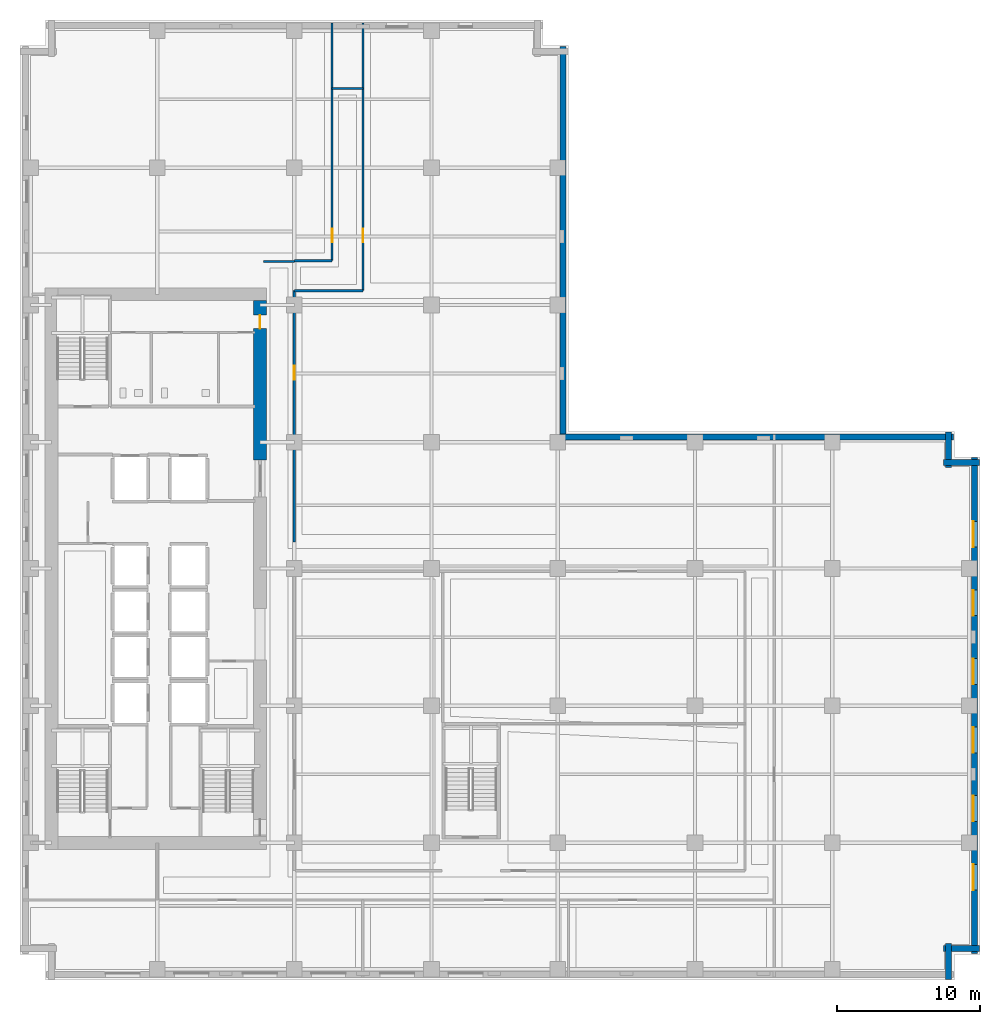
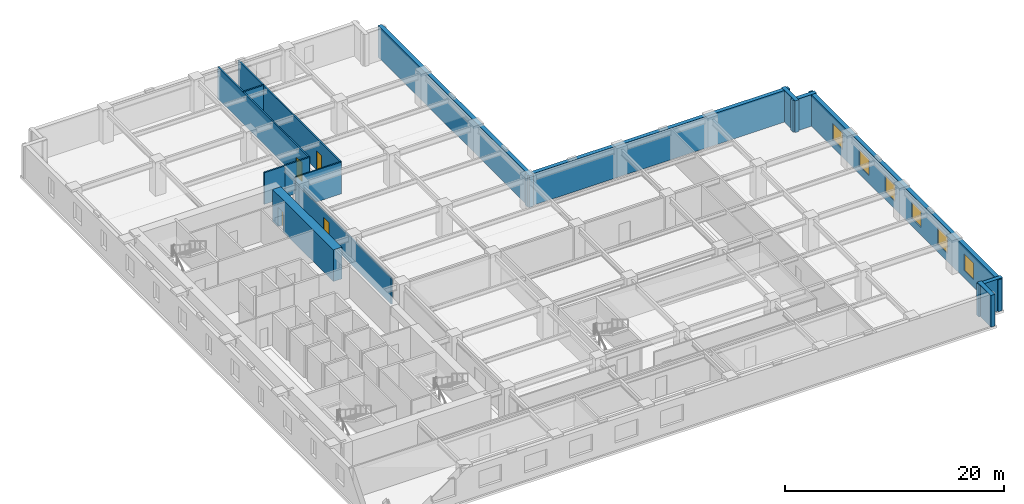
# One storey, part 7 of 13: 15 walls, 6 windows, 4 doors, 10 openings.
"""IFC4 building model written with IfcOpenShell, lengths in metres."""

from ifc_helpers import new_model, si_unit, direction, frame, frame_2d, origin, place, context, subcontext, project, spatial, rectangle, extrude, material, layer, layer_set, type_object, element, fill, save


model = new_model("IFC4")

# Units and contexts
model_context = context("Model", 3, precision=1e-05, world=origin(), true_north=direction((0.0, 1.0)))
body_context = subcontext(model_context, "Body", "Model", "MODEL_VIEW")
ifc_project = project(units=[si_unit("LENGTHUNIT", "METRE"), si_unit("AREAUNIT", "SQUARE_METRE"), si_unit("VOLUMEUNIT", "CUBIC_METRE"), si_unit("PLANEANGLEUNIT", "RADIAN"), si_unit("MASSUNIT", "GRAM", prefix="KILO")], contexts=[model_context])

# Site, building, storey
site_placement = place(None, origin())
site = spatial("IfcSite", under=ifc_project, at=site_placement, CompositionType="ELEMENT")
building_placement = place(site_placement, origin())
building = spatial("IfcBuilding", under=site, at=building_placement, Name="Norrvale University Quadrangle", CompositionType="ELEMENT")
storey_placement = place(building_placement, frame((0.0, 0.0, 69.800048828125)))
storey = spatial("IfcBuildingStorey", under=building, at=storey_placement, Name="L17", CompositionType="ELEMENT", Elevation=69.800048828125)

# Walls
ifc_material_1 = material(Name="Buff Norman Clay Brick Masonry", Category="masonry")
ifc_layer_1 = layer(ifc_material_1, 0.419921875, Name="Buff Norman Clay Brick Masonry")
ifc_layer_set_1 = layer_set([ifc_layer_1], Name="Buff Norman Clay Brick Masonry")
wall_type_1 = type_object("IfcWallType", Name="Wall Buff Brick 420", PredefinedType="SOLIDWALL", material=ifc_layer_set_1)
for number, where, z_axis, x_axis, name in (
    (1, (65.010009765625, 0.0400390625, 0.0), (0.0, 0.0, 1.0), (0.0, 1.0, 0.0), "Exterior Brick Facade Wall L17-02.1"),
    (2, (64.659912109375, 2.18994140625, 0.0), (0.0, 0.0, 1.0), (1.0, 0.0, 0.0), "Exterior Brick Facade Wall L17-03.1"),
):
    element("IfcWall", number, at=place(storey_placement, frame(where, z_axis=z_axis, x_axis=x_axis)), inside=storey, type_object=wall_type_1, Name=name, PredefinedType="SOLIDWALL", context=body_context, shape_type="SweptSolid", body=[
        extrude(rectangle(XDim=2.5, YDim=0.419921875, at=frame_2d((1.25, 0.0))), origin(), (0.0, 0.0, 1.0), 3.5400390625),
    ])

# Wall, openings, windows
wall_1_placement = place(storey_placement, frame((66.81005859375, 1.840087890625, 0.0), z_axis=(0.0, 0.0, 1.0), x_axis=(0.0, 1.0, 0.0)))
wall_1 = element("IfcWall", 3, at=wall_1_placement, inside=storey, type_object=wall_type_1, Name="Exterior Brick Facade Wall L17-04.1", PredefinedType="SOLIDWALL", context=body_context, shape_type="SweptSolid", body=[
    extrude(rectangle(XDim=34.719970703125, YDim=0.419921875, at=frame_2d((17.35986328125, 0.0))), origin(), (0.0, 0.0, 1.0), 3.5400390625),
])
opening_1_placement = place(wall_1_placement, frame((4.4599609375, 0.0, 0.85009765625)))
opening_1 = element("IfcOpeningElement", 4, at=opening_1_placement, cuts=wall_1, Name="Opening W01", PredefinedType="OPENING", context=body_context, shape_type="SweptSolid", body=[
    extrude(rectangle(XDim=1.800048828125, YDim=1.85009765625, at=frame_2d((0.89990234375, 0.925048828125))), frame((0.0, 0.221923828125, 0.0), z_axis=(0.0, -1.0, 0.0), x_axis=(1.0, 0.0, 0.0)), (0.0, 0.0, 1.0), 0.44384765625),
])
opening_2_placement = place(wall_1_placement, frame((9.260009765625, 0.0, 0.85009765625)))
opening_2 = element("IfcOpeningElement", 5, at=opening_2_placement, cuts=wall_1, Name="Opening W01", PredefinedType="OPENING", context=body_context, shape_type="SweptSolid", body=[
    extrude(rectangle(XDim=1.800048828125, YDim=1.85009765625, at=frame_2d((0.89990234375, 0.925048828125))), frame((0.0, 0.221923828125, 0.0), z_axis=(0.0, -1.0, 0.0), x_axis=(1.0, 0.0, 0.0)), (0.0, 0.0, 1.0), 0.44384765625),
])
opening_3_placement = place(wall_1_placement, frame((14.06005859375, 0.0, 0.85009765625)))
opening_3 = element("IfcOpeningElement", 6, at=opening_3_placement, cuts=wall_1, Name="Opening W01", PredefinedType="OPENING", context=body_context, shape_type="SweptSolid", body=[
    extrude(rectangle(XDim=1.800048828125, YDim=1.85009765625, at=frame_2d((0.89990234375, 0.925048828125))), frame((0.0, 0.221923828125, 0.0), z_axis=(0.0, -1.0, 0.0), x_axis=(1.0, 0.0, 0.0)), (0.0, 0.0, 1.0), 0.44384765625),
])
opening_4_placement = place(wall_1_placement, frame((18.860107421875, 0.0, 0.85009765625)))
opening_4 = element("IfcOpeningElement", 7, at=opening_4_placement, cuts=wall_1, Name="Opening W01", PredefinedType="OPENING", context=body_context, shape_type="SweptSolid", body=[
    extrude(rectangle(XDim=1.800048828125, YDim=1.85009765625, at=frame_2d((0.89990234375, 0.925048828125))), frame((0.0, 0.221923828125, 0.0), z_axis=(0.0, -1.0, 0.0), x_axis=(1.0, 0.0, 0.0)), (0.0, 0.0, 1.0), 0.44384765625),
])
opening_5_placement = place(wall_1_placement, frame((23.659912109375, 0.0, 0.85009765625)))
opening_5 = element("IfcOpeningElement", 8, at=opening_5_placement, cuts=wall_1, Name="Opening W01", PredefinedType="OPENING", context=body_context, shape_type="SweptSolid", body=[
    extrude(rectangle(XDim=1.800048828125, YDim=1.85009765625, at=frame_2d((0.89990234375, 0.925048828125))), frame((0.0, 0.221923828125, 0.0), z_axis=(0.0, -1.0, 0.0), x_axis=(1.0, 0.0, 0.0)), (0.0, 0.0, 1.0), 0.44384765625),
])
opening_6_placement = place(wall_1_placement, frame((28.4599609375, 0.0, 0.85009765625)))
opening_6 = element("IfcOpeningElement", 9, at=opening_6_placement, cuts=wall_1, Name="Opening W01", PredefinedType="OPENING", context=body_context, shape_type="SweptSolid", body=[
    extrude(rectangle(XDim=1.800048828125, YDim=1.85009765625, at=frame_2d((0.89990234375, 0.925048828125))), frame((0.0, 0.221923828125, 0.0), z_axis=(0.0, -1.0, 0.0), x_axis=(1.0, 0.0, 0.0)), (0.0, 0.0, 1.0), 0.44384765625),
])
ifc_material_2 = material(Name="Triple Low-E Argon Glazing", Category="glass")
window_type = type_object("IfcWindowType", Name="Window Academic 1800x2300", PartitioningType="DOUBLE_PANEL_VERTICAL", PredefinedType="WINDOW", material=ifc_material_2)
window_1_placement = place(opening_1_placement, origin())
window_1 = element("IfcWindow", 10, at=window_1_placement, inside=storey, type_object=window_type, Name="Window Academic 1800x2300 WIN-L17-E04-1-01", OverallHeight=1.85009765625, OverallWidth=1.800048828125, PartitioningType="DOUBLE_PANEL_VERTICAL", PredefinedType="WINDOW", context=body_context, shape_type="SweptSolid", body=[
    extrude(rectangle(XDim=1.800048828125, YDim=1.85009765625, at=frame_2d((0.89990234375, 0.925048828125))), frame((0.0, 0.110107421875, 0.0), z_axis=(0.0, -1.0, 0.0), x_axis=(1.0, 0.0, 0.0)), (0.0, 0.0, 1.0), 0.06005859375),
])
fill(opening_1, window_1)
window_2_placement = place(opening_2_placement, origin())
window_2 = element("IfcWindow", 11, at=window_2_placement, inside=storey, type_object=window_type, Name="Window Academic 1800x2300 WIN-L17-E04-1-02", OverallHeight=1.85009765625, OverallWidth=1.800048828125, PartitioningType="DOUBLE_PANEL_VERTICAL", PredefinedType="WINDOW", context=body_context, shape_type="SweptSolid", body=[
    extrude(rectangle(XDim=1.800048828125, YDim=1.85009765625, at=frame_2d((0.89990234375, 0.925048828125))), frame((0.0, 0.110107421875, 0.0), z_axis=(0.0, -1.0, 0.0), x_axis=(1.0, 0.0, 0.0)), (0.0, 0.0, 1.0), 0.06005859375),
])
fill(opening_2, window_2)
window_3_placement = place(opening_3_placement, origin())
window_3 = element("IfcWindow", 12, at=window_3_placement, inside=storey, type_object=window_type, Name="Window Academic 1800x2300 WIN-L17-E04-1-03", OverallHeight=1.85009765625, OverallWidth=1.800048828125, PartitioningType="DOUBLE_PANEL_VERTICAL", PredefinedType="WINDOW", context=body_context, shape_type="SweptSolid", body=[
    extrude(rectangle(XDim=1.800048828125, YDim=1.85009765625, at=frame_2d((0.89990234375, 0.925048828125))), frame((0.0, 0.110107421875, 0.0), z_axis=(0.0, -1.0, 0.0), x_axis=(1.0, 0.0, 0.0)), (0.0, 0.0, 1.0), 0.06005859375),
])
fill(opening_3, window_3)
window_4_placement = place(opening_4_placement, origin())
window_4 = element("IfcWindow", 13, at=window_4_placement, inside=storey, type_object=window_type, Name="Window Academic 1800x2300 WIN-L17-E04-1-04", OverallHeight=1.85009765625, OverallWidth=1.800048828125, PartitioningType="DOUBLE_PANEL_VERTICAL", PredefinedType="WINDOW", context=body_context, shape_type="SweptSolid", body=[
    extrude(rectangle(XDim=1.800048828125, YDim=1.85009765625, at=frame_2d((0.89990234375, 0.925048828125))), frame((0.0, 0.110107421875, 0.0), z_axis=(0.0, -1.0, 0.0), x_axis=(1.0, 0.0, 0.0)), (0.0, 0.0, 1.0), 0.06005859375),
])
fill(opening_4, window_4)
window_5_placement = place(opening_5_placement, origin())
window_5 = element("IfcWindow", 14, at=window_5_placement, inside=storey, type_object=window_type, Name="Window Academic 1800x2300 WIN-L17-E04-1-05", OverallHeight=1.85009765625, OverallWidth=1.800048828125, PartitioningType="DOUBLE_PANEL_VERTICAL", PredefinedType="WINDOW", context=body_context, shape_type="SweptSolid", body=[
    extrude(rectangle(XDim=1.800048828125, YDim=1.85009765625, at=frame_2d((0.89990234375, 0.925048828125))), frame((0.0, 0.110107421875, 0.0), z_axis=(0.0, -1.0, 0.0), x_axis=(1.0, 0.0, 0.0)), (0.0, 0.0, 1.0), 0.06005859375),
])
fill(opening_5, window_5)
window_6_placement = place(opening_6_placement, origin())
window_6 = element("IfcWindow", 15, at=window_6_placement, inside=storey, type_object=window_type, Name="Window Academic 1800x2300 WIN-L17-E04-1-06", OverallHeight=1.85009765625, OverallWidth=1.800048828125, PartitioningType="DOUBLE_PANEL_VERTICAL", PredefinedType="WINDOW", context=body_context, shape_type="SweptSolid", body=[
    extrude(rectangle(XDim=1.800048828125, YDim=1.85009765625, at=frame_2d((0.89990234375, 0.925048828125))), frame((0.0, 0.110107421875, 0.0), z_axis=(0.0, -1.0, 0.0), x_axis=(1.0, 0.0, 0.0)), (0.0, 0.0, 1.0), 0.06005859375),
])
fill(opening_6, window_6)

# Walls
for number, where, z_axis, x_axis, name in (
    (16, (67.159912109375, 36.2099609375, 0.0), (0.0, 0.0, 1.0), (-1.0, 0.0, 0.0), "Exterior Brick Facade Wall L17-05.1"),
    (17, (65.010009765625, 35.860107421875, 0.0), (0.0, 0.0, 1.0), (0.0, 1.0, 0.0), "Exterior Brick Facade Wall L17-06.1"),
):
    element("IfcWall", number, at=place(storey_placement, frame(where, z_axis=z_axis, x_axis=x_axis)), inside=storey, type_object=wall_type_1, Name=name, PredefinedType="SOLIDWALL", context=body_context, shape_type="SweptSolid", body=[
        extrude(rectangle(XDim=2.5, YDim=0.419921875, at=frame_2d((1.25, 0.0))), origin(), (0.0, 0.0, 1.0), 3.5400390625),
    ])
for number, where, z_axis, x_axis, name in (
    (18, (65.360107421875, 38.010009765625, 0.0), (0.0, 0.0, 1.0), (-1.0, 0.0, 0.0), "Exterior Brick Facade Wall L17-07.1"),
    (19, (38.010009765625, 37.659912109375, 0.0), (0.0, 0.0, 1.0), (0.0, 1.0, 0.0), "Exterior Brick Facade Wall L17-08.1"),
):
    element("IfcWall", number, at=place(storey_placement, frame(where, z_axis=z_axis, x_axis=x_axis)), inside=storey, type_object=wall_type_1, Name=name, PredefinedType="SOLIDWALL", context=body_context, shape_type="SweptSolid", body=[
        extrude(rectangle(XDim=27.7001953125, YDim=0.419921875, at=frame_2d((13.85009765625, 0.0))), origin(), (0.0, 0.0, 1.0), 3.5400390625),
    ])

# Wall, opening, door
ifc_material_3 = material(Name="Concrete C80/95", Category="concrete")
ifc_layer_2 = layer(ifc_material_3, 0.89990234375, Name="Concrete C80/95")
ifc_layer_set_2 = layer_set([ifc_layer_2], Name="Concrete C80/95")
wall_type_2 = type_object("IfcWallType", Name="Wall Core 900", PredefinedType="SHEAR", material=ifc_layer_set_2)
wall_2_placement = place(storey_placement, frame((16.800048828125, 36.39990234375, 0.0), z_axis=(0.0, 0.0, 1.0), x_axis=(0.0, 1.0, 0.0)))
wall_2 = element("IfcWall", 20, at=wall_2_placement, inside=storey, type_object=wall_type_2, Name="Tower Core Shear Wall L17-E3", PredefinedType="SHEAR", context=body_context, shape_type="SweptSolid", body=[
    extrude(rectangle(XDim=11.150146484375, YDim=0.89990234375, at=frame_2d((5.5751953125, 0.0))), origin(), (0.0, 0.0, 1.0), 3.5400390625),
])
opening_7_placement = place(wall_2_placement, frame((9.199951171875, 0.0, 0.0)))
opening_7 = element("IfcOpeningElement", 21, at=opening_7_placement, cuts=wall_2, Name="Opening D07", PredefinedType="OPENING", context=body_context, shape_type="SweptSolid", body=[
    extrude(rectangle(XDim=0.949951171875, YDim=2.14990234375, at=frame_2d((0.47509765625, 1.074951171875))), frame((0.0, 0.4619140625, 0.0), z_axis=(0.0, -1.0, 0.0), x_axis=(1.0, 0.0, 0.0)), (0.0, 0.0, 1.0), 0.923828125),
])
ifc_material_4 = material(Name="Solid-Core Maple Door", Category="wood")
door_type_1 = type_object("IfcDoorType", Name="Door Office 950x2150", OperationType="NOTDEFINED", PredefinedType="DOOR", material=ifc_material_4)
door_1_placement = place(opening_7_placement, origin())
door_1 = element("IfcDoor", 22, at=door_1_placement, inside=storey, type_object=door_type_1, Name="Door Office 950x2150 DR-L17-NECORR", OperationType="SINGLE_SWING_RIGHT", OverallHeight=2.14990234375, OverallWidth=0.949951171875, PredefinedType="DOOR", context=body_context, shape_type="SweptSolid", body=[
    extrude(rectangle(XDim=0.949951171875, YDim=2.14990234375, at=frame_2d((0.47509765625, 1.074951171875))), frame((0.0, 0.02490234375, 0.0), z_axis=(0.0, -1.0, 0.0), x_axis=(1.0, 0.0, 0.0)), (0.0, 0.0, 1.0), 0.050048828125),
])
fill(opening_7, door_1)

# Wall
ifc_material_5 = material(Name="Fire-Rated Gypsum Stud Partition")
ifc_layer_3 = layer(ifc_material_5, 0.14990234375, Name="Fire-Rated Gypsum Stud Partition")
ifc_layer_set_3 = layer_set([ifc_layer_3], Name="Fire-Rated Gypsum Stud Partition")
wall_type_3 = type_object("IfcWallType", Name="Wall Gypsum Corridor 150", PredefinedType="PARTITIONING", material=ifc_layer_set_3)
wall_3_placement = place(storey_placement, frame((17.050048828125, 50.300048828125, 0.0), z_axis=(0.0, 0.0, 1.0), x_axis=(1.0, 0.0, 0.0)))
element("IfcWall", 23, at=wall_3_placement, inside=storey, type_object=wall_type_3, Name="Interior Partition WL-L17-CN-END", PredefinedType="PARTITIONING", context=body_context, shape_type="SweptSolid", body=[
    extrude(rectangle(XDim=2.14990234375, YDim=0.14990234375, at=frame_2d((1.074951171875, 0.0))), origin(), (0.0, 0.0, 1.0), 3.5400390625),
])

# Wall, opening, door
wall_4_placement = place(storey_placement, frame((19.199951171875, 30.64990234375, 0.0), z_axis=(0.0, 0.0, 1.0), x_axis=(0.0, 1.0, 0.0)))
wall_4 = element("IfcWall", 24, at=wall_4_placement, inside=storey, type_object=wall_type_3, Name="Interior Partition WL-L17-MNECW", PredefinedType="PARTITIONING", context=body_context, shape_type="SweptSolid", body=[
    extrude(rectangle(XDim=17.60009765625, YDim=0.14990234375, at=frame_2d((8.800048828125, 0.0))), origin(), (0.0, 0.0, 1.0), 2.9228515625),
])
opening_8_placement = place(wall_4_placement, frame((11.35009765625, 0.0, 0.0)))
opening_8 = element("IfcOpeningElement", 25, at=opening_8_placement, cuts=wall_4, Name="Opening D04", PredefinedType="OPENING", context=body_context, shape_type="SweptSolid", body=[
    extrude(rectangle(XDim=1.0, YDim=2.199951171875, at=frame_2d((0.5, 1.10009765625))), frame((0.0, 0.0869140625, 0.0), z_axis=(0.0, -1.0, 0.0), x_axis=(1.0, 0.0, 0.0)), (0.0, 0.0, 1.0), 0.173828125),
])
ifc_material_6 = material(Name="Solid-Core Oak Fire Door", Category="wood")
door_type_2 = type_object("IfcDoorType", Name="Door Corridor 1000x2200", OperationType="NOTDEFINED", PredefinedType="DOOR", material=ifc_material_6)
door_2_placement = place(opening_8_placement, origin())
door_2 = element("IfcDoor", 26, at=door_2_placement, inside=storey, type_object=door_type_2, Name="Door Corridor 1000x2200 DR-L17-MNE01", OperationType="SINGLE_SWING_RIGHT", OverallHeight=2.199951171875, OverallWidth=1.0, PredefinedType="DOOR", context=body_context, shape_type="SweptSolid", body=[
    extrude(rectangle(XDim=1.0, YDim=2.199951171875, at=frame_2d((0.5, 1.10009765625))), frame((0.0, 0.02490234375, 0.0), z_axis=(0.0, -1.0, 0.0), x_axis=(1.0, 0.0, 0.0)), (0.0, 0.0, 1.0), 0.050048828125),
])
fill(opening_8, door_2)

# Walls
wall_5_placement = place(storey_placement, frame((19.199951171875, 48.25, 0.0), z_axis=(0.0, 0.0, 1.0), x_axis=(1.0, 0.0, 0.0)))
element("IfcWall", 27, at=wall_5_placement, inside=storey, type_object=wall_type_3, Name="Interior Partition WL-L17-JOGS", PredefinedType="PARTITIONING", context=body_context, shape_type="SweptSolid", body=[
    extrude(rectangle(XDim=4.800048828125, YDim=0.14990234375, at=frame_2d((2.39990234375, 0.0))), origin(), (0.0, 0.0, 1.0), 3.5400390625),
])
wall_6_placement = place(storey_placement, frame((19.199951171875, 50.35009765625, 0.0), z_axis=(0.0, 0.0, 1.0), x_axis=(1.0, 0.0, 0.0)))
element("IfcWall", 28, at=wall_6_placement, inside=storey, type_object=wall_type_3, Name="Interior Partition WL-L17-JOGN", PredefinedType="PARTITIONING", context=body_context, shape_type="SweptSolid", body=[
    extrude(rectangle(XDim=2.650146484375, YDim=0.14990234375, at=frame_2d((1.3251953125, 0.0))), origin(), (0.0, 0.0, 1.0), 3.5400390625),
])
wall_7_placement = place(storey_placement, frame((21.85009765625, 62.39990234375, 0.0), z_axis=(0.0, 0.0, 1.0), x_axis=(1.0, 0.0, 0.0)))
element("IfcWall", 29, at=wall_7_placement, inside=storey, type_object=wall_type_3, Name="Interior Partition WL-L17-JOGEND", PredefinedType="PARTITIONING", context=body_context, shape_type="SweptSolid", body=[
    extrude(rectangle(XDim=2.14990234375, YDim=0.14990234375, at=frame_2d((1.074951171875, 0.0))), origin(), (0.0, 0.0, 1.0), 3.5400390625),
])

# Wall, opening, door
wall_8_placement = place(storey_placement, frame((24.0, 48.25, 0.0), z_axis=(0.0, 0.0, 1.0), x_axis=(0.0, 1.0, 0.0)))
wall_8 = element("IfcWall", 30, at=wall_8_placement, inside=storey, type_object=wall_type_3, Name="Interior Partition WL-L17-NECW", PredefinedType="PARTITIONING", context=body_context, shape_type="SweptSolid", body=[
    extrude(rectangle(XDim=18.72998046875, YDim=0.14990234375, at=frame_2d((9.364990234375, 0.0))), origin(), (0.0, 0.0, 1.0), 3.5400390625),
])
opening_9_placement = place(wall_8_placement, frame((3.39990234375, 0.0, 0.0)))
opening_9 = element("IfcOpeningElement", 31, at=opening_9_placement, cuts=wall_8, Name="Opening D07", PredefinedType="OPENING", context=body_context, shape_type="SweptSolid", body=[
    extrude(rectangle(XDim=0.949951171875, YDim=2.14990234375, at=frame_2d((0.47509765625, 1.074951171875))), frame((0.0, 0.0869140625, 0.0), z_axis=(0.0, -1.0, 0.0), x_axis=(1.0, 0.0, 0.0)), (0.0, 0.0, 1.0), 0.173828125),
])
door_3_placement = place(opening_9_placement, origin())
door_3 = element("IfcDoor", 32, at=door_3_placement, inside=storey, type_object=door_type_1, Name="Door Office 950x2150 DR-L17-NE01", OperationType="SINGLE_SWING_RIGHT", OverallHeight=2.14990234375, OverallWidth=0.949951171875, PredefinedType="DOOR", context=body_context, shape_type="SweptSolid", body=[
    extrude(rectangle(XDim=0.949951171875, YDim=2.14990234375, at=frame_2d((0.47509765625, 1.074951171875))), frame((0.0, 0.02490234375, 0.0), z_axis=(0.0, -1.0, 0.0), x_axis=(1.0, 0.0, 0.0)), (0.0, 0.0, 1.0), 0.050048828125),
])
fill(opening_9, door_3)

wall_9_placement = place(storey_placement, frame((21.85009765625, 50.35009765625, 0.0), z_axis=(0.0, 0.0, 1.0), x_axis=(0.0, 1.0, 0.0)))
wall_9 = element("IfcWall", 33, at=wall_9_placement, inside=storey, type_object=wall_type_3, Name="Interior Partition WL-L17-NWCW", PredefinedType="PARTITIONING", context=body_context, shape_type="SweptSolid", body=[
    extrude(rectangle(XDim=16.6298828125, YDim=0.14990234375, at=frame_2d((8.31494140625, 0.0))), origin(), (0.0, 0.0, 1.0), 3.5400390625),
])
opening_10_placement = place(wall_9_placement, frame((1.300048828125, 0.0, 0.0)))
opening_10 = element("IfcOpeningElement", 34, at=opening_10_placement, cuts=wall_9, Name="Opening D07", PredefinedType="OPENING", context=body_context, shape_type="SweptSolid", body=[
    extrude(rectangle(XDim=0.949951171875, YDim=2.14990234375, at=frame_2d((0.47509765625, 1.074951171875))), frame((0.0, 0.0869140625, 0.0), z_axis=(0.0, -1.0, 0.0), x_axis=(1.0, 0.0, 0.0)), (0.0, 0.0, 1.0), 0.173828125),
])
door_4_placement = place(opening_10_placement, origin())
door_4 = element("IfcDoor", 35, at=door_4_placement, inside=storey, type_object=door_type_1, Name="Door Office 950x2150 DR-L17-NW01", OperationType="SINGLE_SWING_RIGHT", OverallHeight=2.14990234375, OverallWidth=0.949951171875, PredefinedType="DOOR", context=body_context, shape_type="SweptSolid", body=[
    extrude(rectangle(XDim=0.949951171875, YDim=2.14990234375, at=frame_2d((0.47509765625, 1.074951171875))), frame((0.0, 0.02490234375, 0.0), z_axis=(0.0, -1.0, 0.0), x_axis=(1.0, 0.0, 0.0)), (0.0, 0.0, 1.0), 0.050048828125),
])
fill(opening_10, door_4)

save(model, "model.ifc")
